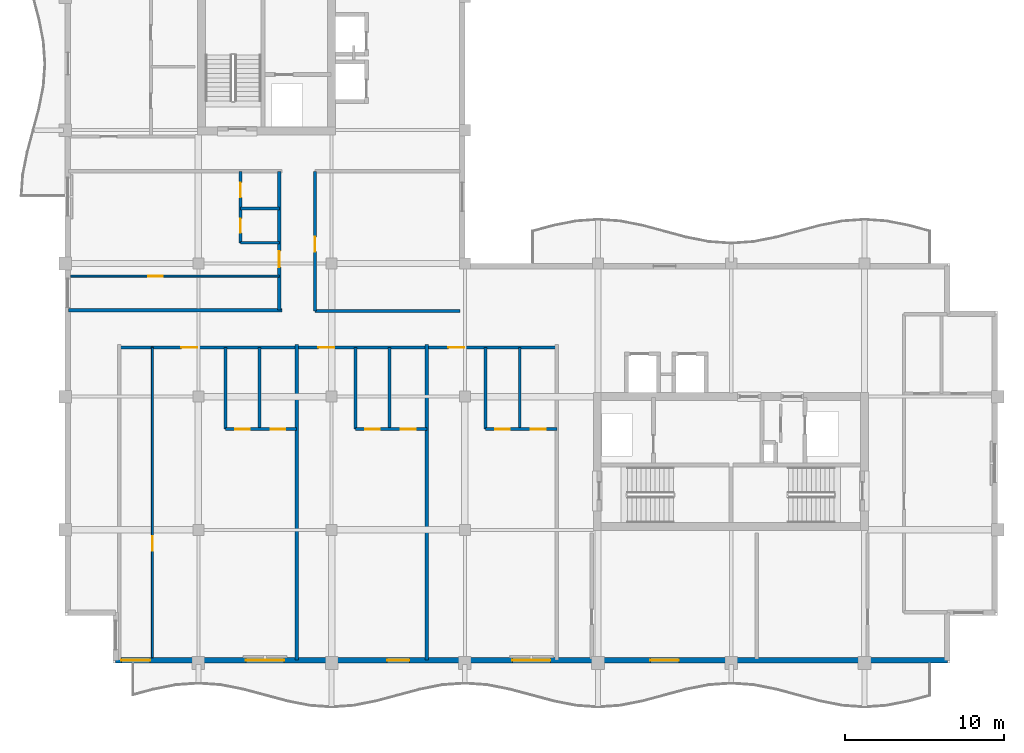
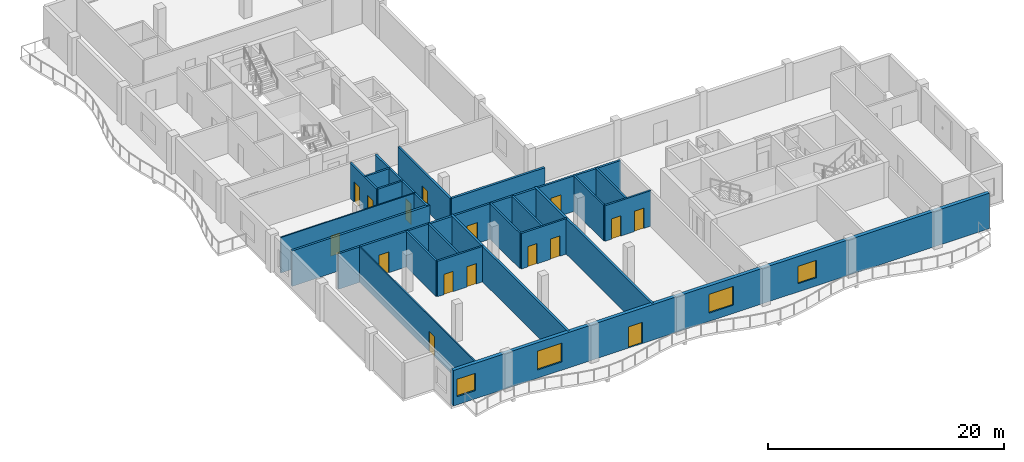
# One storey, part 6 of 17: 22 walls, 16 doors, 4 windows, 20 openings.
"""IFC4 building model written with IfcOpenShell, lengths in metres."""

from ifc_helpers import new_model, si_unit, direction, frame, frame_2d, origin, place, context, subcontext, project, spatial, rectangle, extrude, material, layer, layer_set, type_object, element, fill, save


model = new_model("IFC4")

# Units and contexts
model_context = context("Model", 3, precision=1e-05, world=origin(), true_north=direction((0.0, 1.0)))
body_context = subcontext(model_context, "Body", "Model", "MODEL_VIEW")
ifc_project = project(units=[si_unit("LENGTHUNIT", "METRE"), si_unit("AREAUNIT", "SQUARE_METRE"), si_unit("VOLUMEUNIT", "CUBIC_METRE"), si_unit("PLANEANGLEUNIT", "RADIAN"), si_unit("MASSUNIT", "GRAM", prefix="KILO")], contexts=[model_context])

# Site, building, storey
site_placement = place(None, origin())
site = spatial("IfcSite", under=ifc_project, at=site_placement, CompositionType="ELEMENT")
building_placement = place(site_placement, origin())
building = spatial("IfcBuilding", under=site, at=building_placement, Name="Koriwani Terraces Tower", CompositionType="ELEMENT")
storey_placement = place(building_placement, frame((0.0, 0.0, 316.39990234375)))
storey = spatial("IfcBuildingStorey", under=building, at=storey_placement, Name="L78", CompositionType="ELEMENT", Elevation=316.39990234375)

# Wall, opening, door
ifc_material_1 = material(Name="Autoclaved Cellular Concrete Blockwork", Category="masonry")
ifc_layer_1 = layer(ifc_material_1, 0.199951171875, Name="Autoclaved Cellular Concrete Blockwork")
ifc_layer_set_1 = layer_set([ifc_layer_1], Name="Autoclaved Cellular Concrete Blockwork")
wall_type_1 = type_object("IfcWallType", Name="WALL_CORRIDOR_200", PredefinedType="PARTITIONING", material=ifc_layer_set_1)
wall_1_placement = place(storey_placement, frame((24.14990234375, 30.60009765625, 0.0), z_axis=(0.0, 0.0, 1.0), x_axis=(0.0, 1.0, 0.0)))
wall_1 = element("IfcWall", 1, at=wall_1_placement, inside=storey, type_object=wall_type_1, Name="L78 Interior Wall WIC4W-L78", PredefinedType="PARTITIONING", context=body_context, shape_type="SweptSolid", body=[
    extrude(rectangle(XDim=8.7998046875, YDim=0.199951171875, at=frame_2d((4.39990234375, 0.0))), origin(), (0.0, 0.0, 1.0), 3.670166015625),
])
opening_1_placement = place(wall_1_placement, frame((3.75, 0.0, 0.0)))
opening_1 = element("IfcOpeningElement", 2, at=opening_1_placement, cuts=wall_1, Name="Opening D-06", PredefinedType="OPENING", context=body_context, shape_type="SweptSolid", body=[
    extrude(rectangle(XDim=0.919921875, YDim=2.10009765625, at=frame_2d((0.4599609375, 1.050048828125))), frame((0.0, 0.10986328125, 0.0), z_axis=(0.0, -1.0, 0.0), x_axis=(1.0, 0.0, 0.0)), (0.0, 0.0, 1.0), 0.219970703125),
])
ifc_material_2 = material(Name="Architectural Oak Fire Door", Category="wood")
door_type_1 = type_object("IfcDoorType", Name="DOOR_ROOM_INT_920X2100", OperationType="NOTDEFINED", PredefinedType="DOOR", material=ifc_material_2)
door_1_placement = place(opening_1_placement, origin())
door_1 = element("IfcDoor", 3, at=door_1_placement, inside=storey, type_object=door_type_1, Name="L78 High-Rise Court Study Door", OperationType="SINGLE_SWING_RIGHT", OverallHeight=2.10009765625, OverallWidth=0.919921875, PredefinedType="DOOR", context=body_context, shape_type="SweptSolid", body=[
    extrude(rectangle(XDim=0.919921875, YDim=2.10009765625, at=frame_2d((0.4599609375, 1.050048828125))), frame((0.0, 0.02490234375, 0.0), z_axis=(0.0, -1.0, 0.0), x_axis=(1.0, 0.0, 0.0)), (0.0, 0.0, 1.0), 0.050048828125),
])
fill(opening_1, door_1)

# Wall, openings, doors
wall_2_placement = place(storey_placement, frame((11.800048828125, 28.300048828125, 0.0), z_axis=(0.0, 0.0, 1.0), x_axis=(1.0, 0.0, 0.0)))
wall_2 = element("IfcWall", 4, at=wall_2_placement, inside=storey, type_object=wall_type_1, Name="L78 Interior Wall WRCOR-L78-SW-0", PredefinedType="PARTITIONING", context=body_context, shape_type="SweptSolid", body=[
    extrude(rectangle(XDim=27.599853515625, YDim=0.199951171875, at=frame_2d((13.7998046875, 0.0))), origin(), (0.0, 0.0, 1.0), 3.670166015625),
])
opening_2_placement = place(wall_2_placement, frame((3.919921875, 0.0, 0.0)))
opening_2 = element("IfcOpeningElement", 5, at=opening_2_placement, cuts=wall_2, Name="Opening D-05", PredefinedType="OPENING", context=body_context, shape_type="SweptSolid", body=[
    extrude(rectangle(XDim=1.0, YDim=2.14990234375, at=frame_2d((0.5, 1.074951171875))), frame((0.0, 0.10986328125, 0.0), z_axis=(0.0, -1.0, 0.0), x_axis=(1.0, 0.0, 0.0)), (0.0, 0.0, 1.0), 0.219970703125),
])
opening_3_placement = place(wall_2_placement, frame((12.570068359375, 0.0, 0.0)))
opening_3 = element("IfcOpeningElement", 6, at=opening_3_placement, cuts=wall_2, Name="Opening D-05", PredefinedType="OPENING", context=body_context, shape_type="SweptSolid", body=[
    extrude(rectangle(XDim=1.0, YDim=2.14990234375, at=frame_2d((0.5, 1.074951171875))), frame((0.0, 0.10986328125, 0.0), z_axis=(0.0, -1.0, 0.0), x_axis=(1.0, 0.0, 0.0)), (0.0, 0.0, 1.0), 0.219970703125),
])
opening_4_placement = place(wall_2_placement, frame((20.77001953125, 0.0, 0.0)))
opening_4 = element("IfcOpeningElement", 7, at=opening_4_placement, cuts=wall_2, Name="Opening D-05", PredefinedType="OPENING", context=body_context, shape_type="SweptSolid", body=[
    extrude(rectangle(XDim=1.0, YDim=2.14990234375, at=frame_2d((0.5, 1.074951171875))), frame((0.0, 0.10986328125, 0.0), z_axis=(0.0, -1.0, 0.0), x_axis=(1.0, 0.0, 0.0)), (0.0, 0.0, 1.0), 0.219970703125),
])
door_type_2 = type_object("IfcDoorType", Name="DOOR_SUITE_ENTRY_1000X2150", OperationType="NOTDEFINED", PredefinedType="DOOR", material=ifc_material_2)
door_2_placement = place(opening_2_placement, origin())
door_2 = element("IfcDoor", 8, at=door_2_placement, inside=storey, type_object=door_type_2, Name="Apartment 78SW1 Entrance Door", OperationType="SINGLE_SWING_LEFT", OverallHeight=2.14990234375, OverallWidth=1.0, PredefinedType="DOOR", context=body_context, shape_type="SweptSolid", body=[
    extrude(rectangle(XDim=1.0, YDim=2.14990234375, at=frame_2d((0.5, 1.074951171875))), frame((0.0, 0.02490234375, 0.0), z_axis=(0.0, -1.0, 0.0), x_axis=(1.0, 0.0, 0.0)), (0.0, 0.0, 1.0), 0.050048828125),
])
fill(opening_2, door_2)
door_3_placement = place(opening_3_placement, origin())
door_3 = element("IfcDoor", 9, at=door_3_placement, inside=storey, type_object=door_type_2, Name="Apartment 78SW2 Entrance Door", OperationType="SINGLE_SWING_LEFT", OverallHeight=2.14990234375, OverallWidth=1.0, PredefinedType="DOOR", context=body_context, shape_type="SweptSolid", body=[
    extrude(rectangle(XDim=1.0, YDim=2.14990234375, at=frame_2d((0.5, 1.074951171875))), frame((0.0, 0.02490234375, 0.0), z_axis=(0.0, -1.0, 0.0), x_axis=(1.0, 0.0, 0.0)), (0.0, 0.0, 1.0), 0.050048828125),
])
fill(opening_3, door_3)
door_4_placement = place(opening_4_placement, origin())
door_4 = element("IfcDoor", 10, at=door_4_placement, inside=storey, type_object=door_type_2, Name="Apartment 78SW3 Entrance Door", OperationType="SINGLE_SWING_RIGHT", OverallHeight=2.14990234375, OverallWidth=1.0, PredefinedType="DOOR", context=body_context, shape_type="SweptSolid", body=[
    extrude(rectangle(XDim=1.0, YDim=2.14990234375, at=frame_2d((0.5, 1.074951171875))), frame((0.0, 0.02490234375, 0.0), z_axis=(0.0, -1.0, 0.0), x_axis=(1.0, 0.0, 0.0)), (0.0, 0.0, 1.0), 0.050048828125),
])
fill(opening_4, door_4)

# Wall, opening, door
wall_3_placement = place(storey_placement, frame((21.89990234375, 30.64990234375, 0.0), z_axis=(0.0, 0.0, 1.0), x_axis=(0.0, 1.0, 0.0)))
wall_3 = element("IfcWall", 11, at=wall_3_placement, inside=storey, type_object=wall_type_1, Name="L78 Interior Wall WRCOR-L78-NE-0", PredefinedType="PARTITIONING", context=body_context, shape_type="SweptSolid", body=[
    extrude(rectangle(XDim=8.75, YDim=0.199951171875, at=frame_2d((4.375, 0.0))), origin(), (0.0, 0.0, 1.0), 3.670166015625),
])
opening_5_placement = place(wall_3_placement, frame((2.719970703125, 0.0, 0.0)))
opening_5 = element("IfcOpeningElement", 12, at=opening_5_placement, cuts=wall_3, Name="Opening D-05", PredefinedType="OPENING", context=body_context, shape_type="SweptSolid", body=[
    extrude(rectangle(XDim=1.0, YDim=2.14990234375, at=frame_2d((0.5, 1.074951171875))), frame((0.0, 0.10986328125, 0.0), z_axis=(0.0, -1.0, 0.0), x_axis=(1.0, 0.0, 0.0)), (0.0, 0.0, 1.0), 0.219970703125),
])
door_5_placement = place(opening_5_placement, origin())
door_5 = element("IfcDoor", 13, at=door_5_placement, inside=storey, type_object=door_type_2, Name="Apartment 78NE1 Entrance Door", OperationType="SINGLE_SWING_LEFT", OverallHeight=2.14990234375, OverallWidth=1.0, PredefinedType="DOOR", context=body_context, shape_type="SweptSolid", body=[
    extrude(rectangle(XDim=1.0, YDim=2.14990234375, at=frame_2d((0.5, 1.074951171875))), frame((0.0, 0.02490234375, 0.0), z_axis=(0.0, -1.0, 0.0), x_axis=(1.0, 0.0, 0.0)), (0.0, 0.0, 1.0), 0.050048828125),
])
fill(opening_5, door_5)

# Walls
ifc_layer_2 = layer(ifc_material_1, 0.219970703125, Name="Autoclaved Cellular Concrete Blockwork")
ifc_layer_set_2 = layer_set([ifc_layer_2], Name="Autoclaved Cellular Concrete Blockwork")
wall_type_2 = type_object("IfcWallType", Name="WALL_DEMISING_220", PredefinedType="PARTITIONING", material=ifc_layer_set_2)
wall_4_placement = place(storey_placement, frame((24.14990234375, 30.60009765625, 0.0), z_axis=(0.0, 0.0, 1.0), x_axis=(1.0, 0.0, 0.0)))
element("IfcWall", 14, at=wall_4_placement, inside=storey, type_object=wall_type_2, Name="L78 Interior Wall WIC4WS-L78", PredefinedType="PARTITIONING", context=body_context, shape_type="SweptSolid", body=[
    extrude(rectangle(XDim=9.150146484375, YDim=0.219970703125, at=frame_2d((4.5751953125, 0.0))), origin(), (0.0, 0.0, 1.0), 3.670166015625),
])
for number, where, z_axis, x_axis, name in (
    (15, (23.0, 8.60009765625, 0.0), (0.0, 0.0, 1.0), (0.0, 1.0, 0.0), "L78 Interior Wall WRDEM-L78-SW-1"),
    (16, (31.199951171875, 8.60009765625, 0.0), (0.0, 0.0, 1.0), (0.0, 1.0, 0.0), "L78 Interior Wall WRDEM-L78-SW-2"),
):
    element("IfcWall", number, at=place(storey_placement, frame(where, z_axis=z_axis, x_axis=x_axis)), inside=storey, type_object=wall_type_2, Name=name, PredefinedType="PARTITIONING", context=body_context, shape_type="SweptSolid", body=[
        extrude(rectangle(XDim=19.8798828125, YDim=0.219970703125, at=frame_2d((9.93994140625, 0.0))), origin(), (0.0, 0.0, 1.0), 3.670166015625),
    ])
wall_5_placement = place(storey_placement, frame((8.60009765625, 30.64990234375, 0.0), z_axis=(0.0, 0.0, 1.0), x_axis=(1.0, 0.0, 0.0)))
element("IfcWall", 17, at=wall_5_placement, inside=storey, type_object=wall_type_2, Name="L78 Interior Wall WRDEM-L78-NE-0", PredefinedType="PARTITIONING", context=body_context, shape_type="SweptSolid", body=[
    extrude(rectangle(XDim=13.47998046875, YDim=0.219970703125, at=frame_2d((6.739990234375, 0.0))), origin(), (0.0, 0.0, 1.0), 3.670166015625),
])

# Wall, openings, door, windows
ifc_material_3 = material(Name="Concrete C50/60", Category="concrete")
ifc_layer_3 = layer(ifc_material_3, 0.35009765625, Name="Concrete C50/60")
ifc_layer_set_3 = layer_set([ifc_layer_3], Name="Concrete C50/60")
wall_type_3 = type_object("IfcWallType", Name="WALL_EXT_BRUTALIST_350", PredefinedType="STANDARD", material=ifc_layer_set_3)
wall_6_placement = place(storey_placement, frame((64.02490234375, 8.574951171875, 0.0), z_axis=(0.0, 0.0, 1.0), x_axis=(-1.0, 0.0, 0.0)))
wall_6 = element("IfcWall", 18, at=wall_6_placement, inside=storey, type_object=wall_type_3, Name="L78 Fair-Faced Brutalist Exterior Wall (S)", PredefinedType="STANDARD", context=body_context, shape_type="SweptSolid", body=[
    extrude(rectangle(XDim=52.449951171875, YDim=0.35009765625, at=frame_2d((26.22509765625, 0.0))), origin(), (0.0, 0.0, 1.0), 3.670166015625),
])
opening_6_placement = place(wall_6_placement, frame((33.925048828125, 0.0, 0.0)))
opening_6 = element("IfcOpeningElement", 19, at=opening_6_placement, cuts=wall_6, Name="Opening D-09", PredefinedType="OPENING", context=body_context, shape_type="SweptSolid", body=[
    extrude(rectangle(XDim=1.39990234375, YDim=2.199951171875, at=frame_2d((0.699951171875, 1.10009765625))), frame((0.0, 0.18505859375, 0.0), z_axis=(0.0, -1.0, 0.0), x_axis=(1.0, 0.0, 0.0)), (0.0, 0.0, 1.0), 0.3701171875),
])
opening_7_placement = place(wall_6_placement, frame((41.824951171875, 0.0, 0.85009765625)))
opening_7 = element("IfcOpeningElement", 20, at=opening_7_placement, cuts=wall_6, Name="Opening W-03", PredefinedType="OPENING", context=body_context, shape_type="SweptSolid", body=[
    extrude(rectangle(XDim=2.39990234375, YDim=1.949951171875, at=frame_2d((1.199951171875, 0.97509765625))), frame((0.0, 0.18505859375, 0.0), z_axis=(0.0, -1.0, 0.0), x_axis=(1.0, 0.0, 0.0)), (0.0, 0.0, 1.0), 0.3701171875),
])
opening_8_placement = place(wall_6_placement, frame((25.02490234375, 0.0, 0.85009765625)))
opening_8 = element("IfcOpeningElement", 21, at=opening_8_placement, cuts=wall_6, Name="Opening W-03", PredefinedType="OPENING", context=body_context, shape_type="SweptSolid", body=[
    extrude(rectangle(XDim=2.39990234375, YDim=1.949951171875, at=frame_2d((1.199951171875, 0.97509765625))), frame((0.0, 0.18505859375, 0.0), z_axis=(0.0, -1.0, 0.0), x_axis=(1.0, 0.0, 0.0)), (0.0, 0.0, 1.0), 0.3701171875),
])
opening_9_placement = place(wall_6_placement, frame((16.925048828125, 0.0, 0.85009765625)))
opening_9 = element("IfcOpeningElement", 22, at=opening_9_placement, cuts=wall_6, Name="Opening W-04", PredefinedType="OPENING", context=body_context, shape_type="SweptSolid", body=[
    extrude(rectangle(XDim=1.800048828125, YDim=1.800048828125, at=frame_2d((0.89990234375, 0.89990234375))), frame((0.0, 0.18505859375, 0.0), z_axis=(0.0, -1.0, 0.0), x_axis=(1.0, 0.0, 0.0)), (0.0, 0.0, 1.0), 0.3701171875),
])
opening_10_placement = place(wall_6_placement, frame((50.27490234375, 0.0, 0.85009765625)))
opening_10 = element("IfcOpeningElement", 23, at=opening_10_placement, cuts=wall_6, Name="Opening W-04", PredefinedType="OPENING", context=body_context, shape_type="SweptSolid", body=[
    extrude(rectangle(XDim=1.800048828125, YDim=1.800048828125, at=frame_2d((0.89990234375, 0.89990234375))), frame((0.0, 0.18505859375, 0.0), z_axis=(0.0, -1.0, 0.0), x_axis=(1.0, 0.0, 0.0)), (0.0, 0.0, 1.0), 0.3701171875),
])
ifc_material_4 = material(Name="Anodised Bronze Aluminium", Category="aluminium")
door_type_3 = type_object("IfcDoorType", Name="DOOR_BALCONY_GLAZED_1400X2200", OperationType="NOTDEFINED", PredefinedType="DOOR", material=ifc_material_4)
door_6_placement = place(opening_6_placement, origin())
door_6 = element("IfcDoor", 24, at=door_6_placement, inside=storey, type_object=door_type_3, Name="L78 South Balcony Glazed Door", OperationType="SINGLE_SWING_LEFT", OverallHeight=2.199951171875, OverallWidth=1.39990234375, PredefinedType="DOOR", context=body_context, shape_type="SweptSolid", body=[
    extrude(rectangle(XDim=1.39990234375, YDim=2.199951171875, at=frame_2d((0.699951171875, 1.10009765625))), frame((0.0, 0.02490234375, 0.0), z_axis=(0.0, -1.0, 0.0), x_axis=(1.0, 0.0, 0.0)), (0.0, 0.0, 1.0), 0.050048828125),
])
fill(opening_6, door_6)
ifc_material_5 = material(Name="Tempered Laminated Low-E Glass", Category="glass")
window_type_1 = type_object("IfcWindowType", Name="WIN_RES_BED_1800X1800", PartitioningType="DOUBLE_PANEL_VERTICAL", PredefinedType="WINDOW", material=ifc_material_5)
window_1_placement = place(opening_9_placement, origin())
window_1 = element("IfcWindow", 25, at=window_1_placement, inside=storey, type_object=window_type_1, Name="L78 Exterior Window (S-12)", OverallHeight=1.800048828125, OverallWidth=1.800048828125, PartitioningType="SINGLE_PANEL", PredefinedType="WINDOW", context=body_context, shape_type="SweptSolid", body=[
    extrude(rectangle(XDim=1.800048828125, YDim=1.800048828125, at=frame_2d((0.89990234375, 0.89990234375))), frame((0.0, 0.030029296875, 0.0), z_axis=(0.0, -1.0, 0.0), x_axis=(1.0, 0.0, 0.0)), (0.0, 0.0, 1.0), 0.06005859375),
])
fill(opening_9, window_1)
window_2_placement = place(opening_10_placement, origin())
window_2 = element("IfcWindow", 26, at=window_2_placement, inside=storey, type_object=window_type_1, Name="L78 Exterior Window (S-R32)", OverallHeight=1.800048828125, OverallWidth=1.800048828125, PartitioningType="SINGLE_PANEL", PredefinedType="WINDOW", context=body_context, shape_type="SweptSolid", body=[
    extrude(rectangle(XDim=1.800048828125, YDim=1.800048828125, at=frame_2d((0.89990234375, 0.89990234375))), frame((0.0, 0.030029296875, 0.0), z_axis=(0.0, -1.0, 0.0), x_axis=(1.0, 0.0, 0.0)), (0.0, 0.0, 1.0), 0.06005859375),
])
fill(opening_10, window_2)
window_type_2 = type_object("IfcWindowType", Name="WIN_RES_LIVING_2400X1950", PartitioningType="DOUBLE_PANEL_VERTICAL", PredefinedType="WINDOW", material=ifc_material_5)
window_3_placement = place(opening_7_placement, origin())
window_3 = element("IfcWindow", 27, at=window_3_placement, inside=storey, type_object=window_type_2, Name="L78 Exterior Window (S-3)", OverallHeight=1.949951171875, OverallWidth=2.39990234375, PartitioningType="SINGLE_PANEL", PredefinedType="WINDOW", context=body_context, shape_type="SweptSolid", body=[
    extrude(rectangle(XDim=2.39990234375, YDim=1.949951171875, at=frame_2d((1.199951171875, 0.97509765625))), frame((0.0, 0.030029296875, 0.0), z_axis=(0.0, -1.0, 0.0), x_axis=(1.0, 0.0, 0.0)), (0.0, 0.0, 1.0), 0.06005859375),
])
fill(opening_7, window_3)
window_4_placement = place(opening_8_placement, origin())
window_4 = element("IfcWindow", 28, at=window_4_placement, inside=storey, type_object=window_type_2, Name="L78 Exterior Window (S-9)", OverallHeight=1.949951171875, OverallWidth=2.39990234375, PartitioningType="SINGLE_PANEL", PredefinedType="WINDOW", context=body_context, shape_type="SweptSolid", body=[
    extrude(rectangle(XDim=2.39990234375, YDim=1.949951171875, at=frame_2d((1.199951171875, 0.97509765625))), frame((0.0, 0.030029296875, 0.0), z_axis=(0.0, -1.0, 0.0), x_axis=(1.0, 0.0, 0.0)), (0.0, 0.0, 1.0), 0.06005859375),
])
fill(opening_8, window_4)

# Wall, opening, door
ifc_material_6 = material(Name="Fire-Rated Acoustic Gypsum Partition", Category="masonry")
ifc_layer_4 = layer(ifc_material_6, 0.125, Name="Fire-Rated Acoustic Gypsum Partition")
ifc_layer_set_4 = layer_set([ifc_layer_4], Name="Fire-Rated Acoustic Gypsum Partition")
wall_type_4 = type_object("IfcWallType", Name="WALL_INT_125", PredefinedType="PARTITIONING", material=ifc_layer_set_4)
wall_7_placement = place(storey_placement, frame((13.89990234375, 8.75, 0.0), z_axis=(0.0, 0.0, 1.0), x_axis=(0.0, 1.0, 0.0)))
wall_7 = element("IfcWall", 29, at=wall_7_placement, inside=storey, type_object=wall_type_4, Name="L78 Interior Wall WRBED1-L78-SW-0", PredefinedType="PARTITIONING", context=body_context, shape_type="SweptSolid", body=[
    extrude(rectangle(XDim=19.550048828125, YDim=0.125, at=frame_2d((9.77490234375, 0.0))), origin(), (0.0, 0.0, 1.0), 3.670166015625),
])
opening_11_placement = place(wall_7_placement, frame((6.739990234375, 0.0, 0.0)))
opening_11 = element("IfcOpeningElement", 30, at=opening_11_placement, cuts=wall_7, Name="Opening D-06", PredefinedType="OPENING", context=body_context, shape_type="SweptSolid", body=[
    extrude(rectangle(XDim=0.919921875, YDim=2.10009765625, at=frame_2d((0.4599609375, 1.050048828125))), frame((0.0, 0.072509765625, 0.0), z_axis=(0.0, -1.0, 0.0), x_axis=(1.0, 0.0, 0.0)), (0.0, 0.0, 1.0), 0.14501953125),
])
door_7_placement = place(opening_11_placement, origin())
door_7 = element("IfcDoor", 31, at=door_7_placement, inside=storey, type_object=door_type_1, Name="Apartment 78SW1 Master Bedroom Door", OperationType="SINGLE_SWING_RIGHT", OverallHeight=2.10009765625, OverallWidth=0.919921875, PredefinedType="DOOR", context=body_context, shape_type="SweptSolid", body=[
    extrude(rectangle(XDim=0.919921875, YDim=2.10009765625, at=frame_2d((0.4599609375, 1.050048828125))), frame((0.0, 0.02490234375, 0.0), z_axis=(0.0, -1.0, 0.0), x_axis=(1.0, 0.0, 0.0)), (0.0, 0.0, 1.0), 0.050048828125),
])
fill(opening_11, door_7)

wall_8_placement = place(storey_placement, frame((8.75, 32.800048828125, 0.0), z_axis=(0.0, 0.0, 1.0), x_axis=(1.0, 0.0, 0.0)))
wall_8 = element("IfcWall", 32, at=wall_8_placement, inside=storey, type_object=wall_type_4, Name="L78 Interior Wall WRBED1-L78-NE-0", PredefinedType="PARTITIONING", context=body_context, shape_type="SweptSolid", body=[
    extrude(rectangle(XDim=13.14990234375, YDim=0.125, at=frame_2d((6.574951171875, 0.0))), origin(), (0.0, 0.0, 1.0), 3.670166015625),
])
opening_12_placement = place(wall_8_placement, frame((4.889892578125, 0.0, 0.0)))
opening_12 = element("IfcOpeningElement", 33, at=opening_12_placement, cuts=wall_8, Name="Opening D-06", PredefinedType="OPENING", context=body_context, shape_type="SweptSolid", body=[
    extrude(rectangle(XDim=0.919921875, YDim=2.10009765625, at=frame_2d((0.4599609375, 1.050048828125))), frame((0.0, 0.072509765625, 0.0), z_axis=(0.0, -1.0, 0.0), x_axis=(1.0, 0.0, 0.0)), (0.0, 0.0, 1.0), 0.14501953125),
])
door_8_placement = place(opening_12_placement, origin())
door_8 = element("IfcDoor", 34, at=door_8_placement, inside=storey, type_object=door_type_1, Name="Apartment 78NE1 Master Bedroom Door", OperationType="SINGLE_SWING_RIGHT", OverallHeight=2.10009765625, OverallWidth=0.919921875, PredefinedType="DOOR", context=body_context, shape_type="SweptSolid", body=[
    extrude(rectangle(XDim=0.919921875, YDim=2.10009765625, at=frame_2d((0.4599609375, 1.050048828125))), frame((0.0, 0.02490234375, 0.0), z_axis=(0.0, -1.0, 0.0), x_axis=(1.0, 0.0, 0.0)), (0.0, 0.0, 1.0), 0.050048828125),
])
fill(opening_12, door_8)

# Wall, openings, doors
ifc_layer_5 = layer(ifc_material_6, 0.179931640625, Name="Fire-Rated Acoustic Gypsum Partition")
ifc_layer_set_5 = layer_set([ifc_layer_5], Name="Fire-Rated Acoustic Gypsum Partition")
wall_type_5 = type_object("IfcWallType", Name="WALL_PLUMBING_180", PredefinedType="PLUMBINGWALL", material=ifc_layer_set_5)
wall_9_placement = place(storey_placement, frame((18.5, 23.14990234375, 0.0), z_axis=(0.0, 0.0, 1.0), x_axis=(1.0, 0.0, 0.0)))
wall_9 = element("IfcWall", 35, at=wall_9_placement, inside=storey, type_object=wall_type_5, Name="L78 Interior Wall WRSVC-L78-SW-0", PredefinedType="PLUMBINGWALL", context=body_context, shape_type="SweptSolid", body=[
    extrude(rectangle(XDim=4.5, YDim=0.179931640625, at=frame_2d((2.25, 0.0))), origin(), (0.0, 0.0, 1.0), 3.670166015625),
])
opening_13_placement = place(wall_9_placement, frame((0.6298828125, 0.0, 0.0)))
opening_13 = element("IfcOpeningElement", 36, at=opening_13_placement, cuts=wall_9, Name="Opening D-07", PredefinedType="OPENING", context=body_context, shape_type="SweptSolid", body=[
    extrude(rectangle(XDim=0.89990234375, YDim=2.10009765625, at=frame_2d((0.449951171875, 1.050048828125))), frame((0.0, 0.10009765625, 0.0), z_axis=(0.0, -1.0, 0.0), x_axis=(1.0, 0.0, 0.0)), (0.0, 0.0, 1.0), 0.199951171875),
])
opening_14_placement = place(wall_9_placement, frame((2.8701171875, 0.0, 0.0)))
opening_14 = element("IfcOpeningElement", 37, at=opening_14_placement, cuts=wall_9, Name="Opening D-06", PredefinedType="OPENING", context=body_context, shape_type="SweptSolid", body=[
    extrude(rectangle(XDim=0.919921875, YDim=2.10009765625, at=frame_2d((0.4599609375, 1.050048828125))), frame((0.0, 0.10009765625, 0.0), z_axis=(0.0, -1.0, 0.0), x_axis=(1.0, 0.0, 0.0)), (0.0, 0.0, 1.0), 0.199951171875),
])
door_type_4 = type_object("IfcDoorType", Name="DOOR_BATH_INT_900X2100", OperationType="NOTDEFINED", PredefinedType="DOOR", material=ifc_material_2)
door_9_placement = place(opening_13_placement, origin())
door_9 = element("IfcDoor", 38, at=door_9_placement, inside=storey, type_object=door_type_4, Name="Apartment 78SW1 Bathroom Door", OperationType="SINGLE_SWING_RIGHT", OverallHeight=2.10009765625, OverallWidth=0.89990234375, PredefinedType="DOOR", context=body_context, shape_type="SweptSolid", body=[
    extrude(rectangle(XDim=0.89990234375, YDim=2.10009765625, at=frame_2d((0.449951171875, 1.050048828125))), frame((0.0, 0.02490234375, 0.0), z_axis=(0.0, -1.0, 0.0), x_axis=(1.0, 0.0, 0.0)), (0.0, 0.0, 1.0), 0.050048828125),
])
fill(opening_13, door_9)
door_10_placement = place(opening_14_placement, origin())
door_10 = element("IfcDoor", 39, at=door_10_placement, inside=storey, type_object=door_type_1, Name="Apartment 78SW1 Kitchen Door", OperationType="SINGLE_SWING_LEFT", OverallHeight=2.10009765625, OverallWidth=0.919921875, PredefinedType="DOOR", context=body_context, shape_type="SweptSolid", body=[
    extrude(rectangle(XDim=0.919921875, YDim=2.10009765625, at=frame_2d((0.4599609375, 1.050048828125))), frame((0.0, 0.02490234375, 0.0), z_axis=(0.0, -1.0, 0.0), x_axis=(1.0, 0.0, 0.0)), (0.0, 0.0, 1.0), 0.050048828125),
])
fill(opening_14, door_10)

# Walls
for number, where, z_axis, x_axis, name in (
    (40, (18.5, 23.14990234375, 0.0), (0.0, 0.0, 1.0), (0.0, 1.0, 0.0), "L78 Interior Wall WRSVCS-L78-SW-0"),
    (41, (20.659912109375, 23.14990234375, 0.0), (0.0, 0.0, 1.0), (0.0, 1.0, 0.0), "L78 Interior Wall WRSVCM-L78-SW-0"),
):
    element("IfcWall", number, at=place(storey_placement, frame(where, z_axis=z_axis, x_axis=x_axis)), inside=storey, type_object=wall_type_5, Name=name, PredefinedType="PLUMBINGWALL", context=body_context, shape_type="SweptSolid", body=[
        extrude(rectangle(XDim=5.150146484375, YDim=0.179931640625, at=frame_2d((2.5751953125, 0.0))), origin(), (0.0, 0.0, 1.0), 3.670166015625),
    ])

# Wall, openings, doors
wall_10_placement = place(storey_placement, frame((26.699951171875, 23.14990234375, 0.0), z_axis=(0.0, 0.0, 1.0), x_axis=(1.0, 0.0, 0.0)))
wall_10 = element("IfcWall", 42, at=wall_10_placement, inside=storey, type_object=wall_type_5, Name="L78 Interior Wall WRSVC-L78-SW-1", PredefinedType="PLUMBINGWALL", context=body_context, shape_type="SweptSolid", body=[
    extrude(rectangle(XDim=4.5, YDim=0.179931640625, at=frame_2d((2.25, 0.0))), origin(), (0.0, 0.0, 1.0), 3.670166015625),
])
opening_15_placement = place(wall_10_placement, frame((0.6298828125, 0.0, 0.0)))
opening_15 = element("IfcOpeningElement", 43, at=opening_15_placement, cuts=wall_10, Name="Opening D-07", PredefinedType="OPENING", context=body_context, shape_type="SweptSolid", body=[
    extrude(rectangle(XDim=0.89990234375, YDim=2.10009765625, at=frame_2d((0.449951171875, 1.050048828125))), frame((0.0, 0.10009765625, 0.0), z_axis=(0.0, -1.0, 0.0), x_axis=(1.0, 0.0, 0.0)), (0.0, 0.0, 1.0), 0.199951171875),
])
opening_16_placement = place(wall_10_placement, frame((2.8701171875, 0.0, 0.0)))
opening_16 = element("IfcOpeningElement", 44, at=opening_16_placement, cuts=wall_10, Name="Opening D-06", PredefinedType="OPENING", context=body_context, shape_type="SweptSolid", body=[
    extrude(rectangle(XDim=0.919921875, YDim=2.10009765625, at=frame_2d((0.4599609375, 1.050048828125))), frame((0.0, 0.10009765625, 0.0), z_axis=(0.0, -1.0, 0.0), x_axis=(1.0, 0.0, 0.0)), (0.0, 0.0, 1.0), 0.199951171875),
])
door_11_placement = place(opening_15_placement, origin())
door_11 = element("IfcDoor", 45, at=door_11_placement, inside=storey, type_object=door_type_4, Name="Apartment 78SW2 Bathroom Door", OperationType="SINGLE_SWING_RIGHT", OverallHeight=2.10009765625, OverallWidth=0.89990234375, PredefinedType="DOOR", context=body_context, shape_type="SweptSolid", body=[
    extrude(rectangle(XDim=0.89990234375, YDim=2.10009765625, at=frame_2d((0.449951171875, 1.050048828125))), frame((0.0, 0.02490234375, 0.0), z_axis=(0.0, -1.0, 0.0), x_axis=(1.0, 0.0, 0.0)), (0.0, 0.0, 1.0), 0.050048828125),
])
fill(opening_15, door_11)
door_12_placement = place(opening_16_placement, origin())
door_12 = element("IfcDoor", 46, at=door_12_placement, inside=storey, type_object=door_type_1, Name="Apartment 78SW2 Kitchen Door", OperationType="SINGLE_SWING_LEFT", OverallHeight=2.10009765625, OverallWidth=0.919921875, PredefinedType="DOOR", context=body_context, shape_type="SweptSolid", body=[
    extrude(rectangle(XDim=0.919921875, YDim=2.10009765625, at=frame_2d((0.4599609375, 1.050048828125))), frame((0.0, 0.02490234375, 0.0), z_axis=(0.0, -1.0, 0.0), x_axis=(1.0, 0.0, 0.0)), (0.0, 0.0, 1.0), 0.050048828125),
])
fill(opening_16, door_12)

# Walls
for number, where, z_axis, x_axis, name in (
    (47, (26.699951171875, 23.14990234375, 0.0), (0.0, 0.0, 1.0), (0.0, 1.0, 0.0), "L78 Interior Wall WRSVCS-L78-SW-1"),
    (48, (28.860107421875, 23.14990234375, 0.0), (0.0, 0.0, 1.0), (0.0, 1.0, 0.0), "L78 Interior Wall WRSVCM-L78-SW-1"),
):
    element("IfcWall", number, at=place(storey_placement, frame(where, z_axis=z_axis, x_axis=x_axis)), inside=storey, type_object=wall_type_5, Name=name, PredefinedType="PLUMBINGWALL", context=body_context, shape_type="SweptSolid", body=[
        extrude(rectangle(XDim=5.150146484375, YDim=0.179931640625, at=frame_2d((2.5751953125, 0.0))), origin(), (0.0, 0.0, 1.0), 3.670166015625),
    ])

# Wall, openings, doors
wall_11_placement = place(storey_placement, frame((34.89990234375, 23.14990234375, 0.0), z_axis=(0.0, 0.0, 1.0), x_axis=(1.0, 0.0, 0.0)))
wall_11 = element("IfcWall", 49, at=wall_11_placement, inside=storey, type_object=wall_type_5, Name="L78 Interior Wall WRSVC-L78-SW-2", PredefinedType="PLUMBINGWALL", context=body_context, shape_type="SweptSolid", body=[
    extrude(rectangle(XDim=4.5, YDim=0.179931640625, at=frame_2d((2.25, 0.0))), origin(), (0.0, 0.0, 1.0), 3.670166015625),
])
opening_17_placement = place(wall_11_placement, frame((0.6298828125, 0.0, 0.0)))
opening_17 = element("IfcOpeningElement", 50, at=opening_17_placement, cuts=wall_11, Name="Opening D-07", PredefinedType="OPENING", context=body_context, shape_type="SweptSolid", body=[
    extrude(rectangle(XDim=0.89990234375, YDim=2.10009765625, at=frame_2d((0.449951171875, 1.050048828125))), frame((0.0, 0.10009765625, 0.0), z_axis=(0.0, -1.0, 0.0), x_axis=(1.0, 0.0, 0.0)), (0.0, 0.0, 1.0), 0.199951171875),
])
opening_18_placement = place(wall_11_placement, frame((2.8701171875, 0.0, 0.0)))
opening_18 = element("IfcOpeningElement", 51, at=opening_18_placement, cuts=wall_11, Name="Opening D-06", PredefinedType="OPENING", context=body_context, shape_type="SweptSolid", body=[
    extrude(rectangle(XDim=0.919921875, YDim=2.10009765625, at=frame_2d((0.4599609375, 1.050048828125))), frame((0.0, 0.10009765625, 0.0), z_axis=(0.0, -1.0, 0.0), x_axis=(1.0, 0.0, 0.0)), (0.0, 0.0, 1.0), 0.199951171875),
])
door_13_placement = place(opening_17_placement, origin())
door_13 = element("IfcDoor", 52, at=door_13_placement, inside=storey, type_object=door_type_4, Name="Apartment 78SW3 Bathroom Door", OperationType="SINGLE_SWING_LEFT", OverallHeight=2.10009765625, OverallWidth=0.89990234375, PredefinedType="DOOR", context=body_context, shape_type="SweptSolid", body=[
    extrude(rectangle(XDim=0.89990234375, YDim=2.10009765625, at=frame_2d((0.449951171875, 1.050048828125))), frame((0.0, 0.02490234375, 0.0), z_axis=(0.0, -1.0, 0.0), x_axis=(1.0, 0.0, 0.0)), (0.0, 0.0, 1.0), 0.050048828125),
])
fill(opening_17, door_13)
door_14_placement = place(opening_18_placement, origin())
door_14 = element("IfcDoor", 53, at=door_14_placement, inside=storey, type_object=door_type_1, Name="Apartment 78SW3 Kitchen Door", OperationType="SINGLE_SWING_RIGHT", OverallHeight=2.10009765625, OverallWidth=0.919921875, PredefinedType="DOOR", context=body_context, shape_type="SweptSolid", body=[
    extrude(rectangle(XDim=0.919921875, YDim=2.10009765625, at=frame_2d((0.4599609375, 1.050048828125))), frame((0.0, 0.02490234375, 0.0), z_axis=(0.0, -1.0, 0.0), x_axis=(1.0, 0.0, 0.0)), (0.0, 0.0, 1.0), 0.050048828125),
])
fill(opening_18, door_14)

# Walls
for number, where, z_axis, x_axis, name in (
    (54, (34.89990234375, 23.14990234375, 0.0), (0.0, 0.0, 1.0), (0.0, 1.0, 0.0), "L78 Interior Wall WRSVCS-L78-SW-2"),
    (55, (37.06005859375, 23.14990234375, 0.0), (0.0, 0.0, 1.0), (0.0, 1.0, 0.0), "L78 Interior Wall WRSVCM-L78-SW-2"),
):
    element("IfcWall", number, at=place(storey_placement, frame(where, z_axis=z_axis, x_axis=x_axis)), inside=storey, type_object=wall_type_5, Name=name, PredefinedType="PLUMBINGWALL", context=body_context, shape_type="SweptSolid", body=[
        extrude(rectangle(XDim=5.150146484375, YDim=0.179931640625, at=frame_2d((2.5751953125, 0.0))), origin(), (0.0, 0.0, 1.0), 3.670166015625),
    ])

# Wall, openings, doors
wall_12_placement = place(storey_placement, frame((19.449951171875, 34.89990234375, 0.0), z_axis=(0.0, 0.0, 1.0), x_axis=(0.0, 1.0, 0.0)))
wall_12 = element("IfcWall", 56, at=wall_12_placement, inside=storey, type_object=wall_type_5, Name="L78 Interior Wall WRSVC-L78-NE-0", PredefinedType="PLUMBINGWALL", context=body_context, shape_type="SweptSolid", body=[
    extrude(rectangle(XDim=4.5, YDim=0.179931640625, at=frame_2d((2.25, 0.0))), origin(), (0.0, 0.0, 1.0), 3.670166015625),
])
opening_19_placement = place(wall_12_placement, frame((0.6298828125, 0.0, 0.0)))
opening_19 = element("IfcOpeningElement", 57, at=opening_19_placement, cuts=wall_12, Name="Opening D-07", PredefinedType="OPENING", context=body_context, shape_type="SweptSolid", body=[
    extrude(rectangle(XDim=0.89990234375, YDim=2.10009765625, at=frame_2d((0.449951171875, 1.050048828125))), frame((0.0, 0.10009765625, 0.0), z_axis=(0.0, -1.0, 0.0), x_axis=(1.0, 0.0, 0.0)), (0.0, 0.0, 1.0), 0.199951171875),
])
opening_20_placement = place(wall_12_placement, frame((2.8701171875, 0.0, 0.0)))
opening_20 = element("IfcOpeningElement", 58, at=opening_20_placement, cuts=wall_12, Name="Opening D-06", PredefinedType="OPENING", context=body_context, shape_type="SweptSolid", body=[
    extrude(rectangle(XDim=0.919921875, YDim=2.10009765625, at=frame_2d((0.4599609375, 1.050048828125))), frame((0.0, 0.10009765625, 0.0), z_axis=(0.0, -1.0, 0.0), x_axis=(1.0, 0.0, 0.0)), (0.0, 0.0, 1.0), 0.199951171875),
])
door_15_placement = place(opening_19_placement, origin())
door_15 = element("IfcDoor", 59, at=door_15_placement, inside=storey, type_object=door_type_4, Name="Apartment 78NE1 Bathroom Door", OperationType="SINGLE_SWING_RIGHT", OverallHeight=2.10009765625, OverallWidth=0.89990234375, PredefinedType="DOOR", context=body_context, shape_type="SweptSolid", body=[
    extrude(rectangle(XDim=0.89990234375, YDim=2.10009765625, at=frame_2d((0.449951171875, 1.050048828125))), frame((0.0, 0.02490234375, 0.0), z_axis=(0.0, -1.0, 0.0), x_axis=(1.0, 0.0, 0.0)), (0.0, 0.0, 1.0), 0.050048828125),
])
fill(opening_19, door_15)
door_16_placement = place(opening_20_placement, origin())
door_16 = element("IfcDoor", 60, at=door_16_placement, inside=storey, type_object=door_type_1, Name="Apartment 78NE1 Kitchen Door", OperationType="SINGLE_SWING_LEFT", OverallHeight=2.10009765625, OverallWidth=0.919921875, PredefinedType="DOOR", context=body_context, shape_type="SweptSolid", body=[
    extrude(rectangle(XDim=0.919921875, YDim=2.10009765625, at=frame_2d((0.4599609375, 1.050048828125))), frame((0.0, 0.02490234375, 0.0), z_axis=(0.0, -1.0, 0.0), x_axis=(1.0, 0.0, 0.0)), (0.0, 0.0, 1.0), 0.050048828125),
])
fill(opening_20, door_16)

# Walls
for number, where, z_axis, x_axis, name in (
    (61, (19.449951171875, 34.89990234375, 0.0), (0.0, 0.0, 1.0), (1.0, 0.0, 0.0), "L78 Interior Wall WRSVCS-L78-NE-0"),
    (62, (19.449951171875, 37.06005859375, 0.0), (0.0, 0.0, 1.0), (1.0, 0.0, 0.0), "L78 Interior Wall WRSVCM-L78-NE-0"),
):
    element("IfcWall", number, at=place(storey_placement, frame(where, z_axis=z_axis, x_axis=x_axis)), inside=storey, type_object=wall_type_5, Name=name, PredefinedType="PLUMBINGWALL", context=body_context, shape_type="SweptSolid", body=[
        extrude(rectangle(XDim=2.449951171875, YDim=0.179931640625, at=frame_2d((1.22509765625, 0.0))), origin(), (0.0, 0.0, 1.0), 3.670166015625),
    ])

save(model, "model.ifc")
